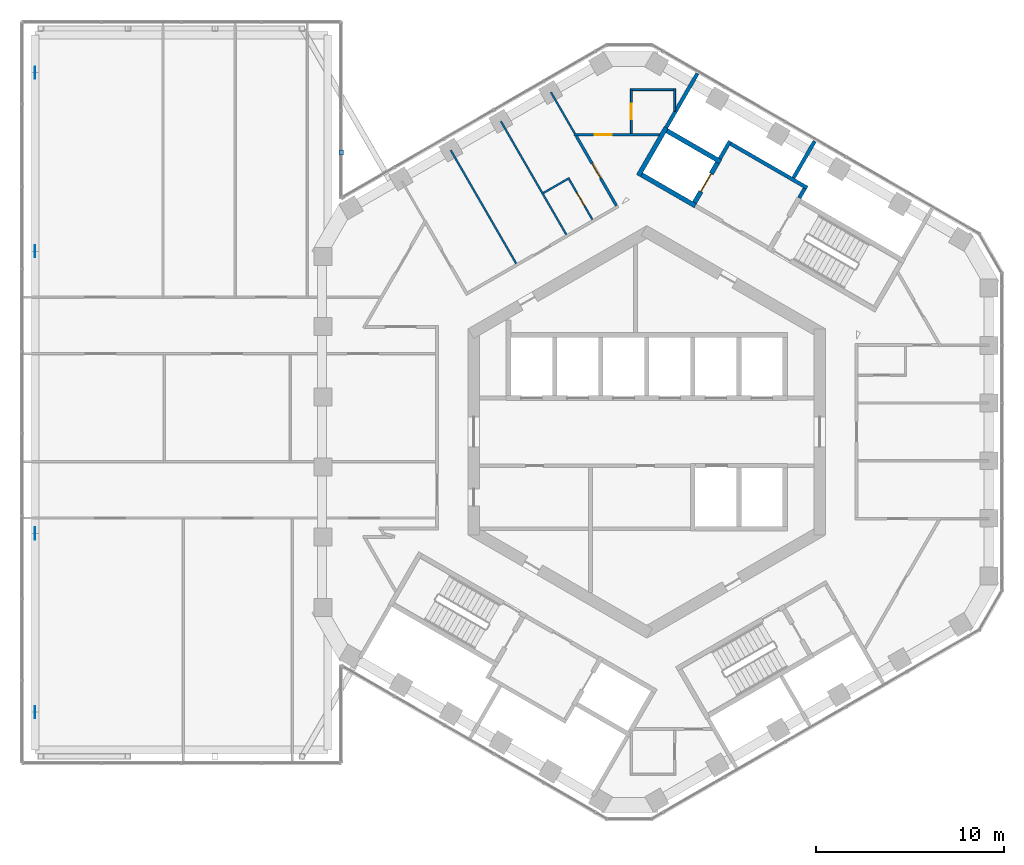
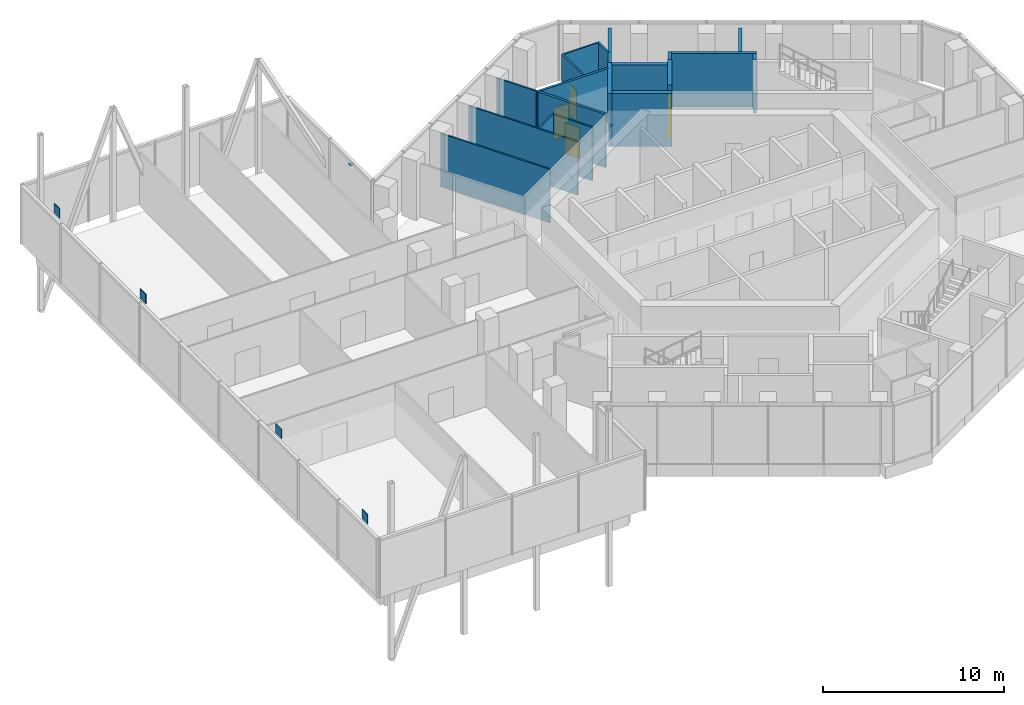
# One storey, part 18 of 21: 19 walls, 5 discrete accessories, 5 doors, 5 openings.
"""IFC4 building model written with IfcOpenShell, lengths in metres."""

from ifc_helpers import new_model, si_unit, direction, frame, frame_2d, origin, origin_2d, place, context, subcontext, project, spatial, rectangle, extrude, material, layer, layer_set, type_object, element, fill, save


model = new_model("IFC4")

# Units and contexts
model_context = context("Model", 3, precision=1e-05, world=origin(), true_north=direction((0.0, 1.0)))
body_context = subcontext(model_context, "Body", "Model", "MODEL_VIEW")
ifc_project = project(units=[si_unit("LENGTHUNIT", "METRE"), si_unit("AREAUNIT", "SQUARE_METRE"), si_unit("VOLUMEUNIT", "CUBIC_METRE"), si_unit("PLANEANGLEUNIT", "RADIAN"), si_unit("MASSUNIT", "GRAM", prefix="KILO")], contexts=[model_context])

# Site, building, storey
site_placement = place(None, origin())
site = spatial("IfcSite", under=ifc_project, at=site_placement, CompositionType="ELEMENT")
building_placement = place(site_placement, origin())
building = spatial("IfcBuilding", under=site, at=building_placement, Name="Ayvan Gate Tower", CompositionType="ELEMENT")
storey_placement = place(building_placement, frame((0.0, 0.0, 206.10009765625)))
storey = spatial("IfcBuildingStorey", under=building, at=storey_placement, Name="L55", CompositionType="ELEMENT", Elevation=206.10009765625)

# Wall, opening, door
ifc_material_1 = material(Name="Plasterboard on steel stud", Category="steel")
ifc_layer_1 = layer(ifc_material_1, 0.14990234375)
ifc_layer_set_1 = layer_set([ifc_layer_1], Name="Plasterboard on steel stud")
wall_type_1 = type_object("IfcWallType", Name="WT-CORR-150", PredefinedType="PARTITIONING", material=ifc_layer_set_1)
wall_1_placement = place(storey_placement, frame((-3.866943359375, 15.797607421875, 0.0), z_axis=(0.0, 0.0, 1.0), x_axis=(1.0, 0.0, 0.0)))
wall_1 = element("IfcWall", 1, at=wall_1_placement, inside=storey, type_object=wall_type_1, Name="IW-L55-043", PredefinedType="PARTITIONING", context=body_context, shape_type="SweptSolid", body=[
    extrude(rectangle(XDim=4.548828125, YDim=0.14990234375, at=frame_2d((2.2744140625, 0.0))), origin(), (0.0, 0.0, 1.0), 3.599853515625),
])
opening_1_placement = place(wall_1_placement, frame((1.111083984375, 0.0, 0.0)))
opening_1 = element("IfcOpeningElement", 2, at=opening_1_placement, cuts=wall_1, Name="Opening L55-D26", PredefinedType="OPENING", context=body_context, shape_type="SweptSolid", body=[
    extrude(rectangle(XDim=0.89990234375, YDim=2.10009765625, at=frame_2d((0.449951171875, 1.050048828125))), frame((0.0, 0.0849609375, 0.0), z_axis=(0.0, -1.0, 0.0), x_axis=(1.0, 0.0, 0.0)), (0.0, 0.0, 1.0), 0.169921875),
])
ifc_material_2 = material(Name="Timber door leaf", Category="wood")
door_type_1 = type_object("IfcDoorType", Name="DT-900", OperationType="NOTDEFINED", PredefinedType="DOOR", material=ifc_material_2)
door_1_placement = place(opening_1_placement, origin())
door_1 = element("IfcDoor", 3, at=door_1_placement, inside=storey, type_object=door_type_1, Name="ID-L55-026", OperationType="SINGLE_SWING_LEFT", OverallHeight=2.10009765625, OverallWidth=0.89990234375, PredefinedType="DOOR", context=body_context, shape_type="SweptSolid", body=[
    extrude(rectangle(XDim=0.89990234375, YDim=2.10009765625, at=frame_2d((0.449951171875, 1.050048828125))), frame((0.0, 0.02490234375, 0.0), z_axis=(0.0, -1.0, 0.0), x_axis=(1.0, 0.0, 0.0)), (0.0, 0.0, 1.0), 0.050048828125),
])
fill(opening_1, door_1)

wall_2_placement = place(storey_placement, frame((-1.61572265625, 12.028564453125, 0.0), z_axis=(0.0, 0.0, 1.0), x_axis=(-0.499994193788, 0.866028755976, 0.0)))
wall_2 = element("IfcWall", 4, at=wall_2_placement, inside=storey, type_object=wall_type_1, Name="IW-L55-050", PredefinedType="PARTITIONING", context=body_context, shape_type="SweptSolid", body=[
    extrude(rectangle(XDim=4.27734375, YDim=0.14990234375, at=frame_2d((2.138671875, 0.0))), origin(), (0.0, 0.0, 1.0), 3.599853515625),
])
opening_2_placement = place(wall_2_placement, frame((1.688720703125, 0.0, 0.0)))
opening_2 = element("IfcOpeningElement", 5, at=opening_2_placement, cuts=wall_2, Name="Opening L55-D31", PredefinedType="OPENING", context=body_context, shape_type="SweptSolid", body=[
    extrude(rectangle(XDim=0.89990234375, YDim=2.10009765625, at=frame_2d((0.449951171875, 1.050048828125))), frame((0.0, 0.0849609375, 0.0), z_axis=(0.0, -1.0, 0.0), x_axis=(1.0, 0.0, 0.0)), (0.0, 0.0, 1.0), 0.169921875),
])
door_2_placement = place(opening_2_placement, origin())
door_2 = element("IfcDoor", 6, at=door_2_placement, inside=storey, type_object=door_type_1, Name="ID-L55-031", OperationType="SINGLE_SWING_RIGHT", OverallHeight=2.10009765625, OverallWidth=0.89990234375, PredefinedType="DOOR", context=body_context, shape_type="SweptSolid", body=[
    extrude(rectangle(XDim=0.89990234375, YDim=2.10009765625, at=frame_2d((0.449951171875, 1.050048828125))), frame((0.0, 0.02490234375, 0.0), z_axis=(0.0, -1.0, 0.0), x_axis=(1.0, 0.0, 0.0)), (0.0, 0.0, 1.0), 0.050048828125),
])
fill(opening_2, door_2)

# Walls
ifc_layer_2 = layer(ifc_material_1, 0.10009765625)
ifc_layer_set_2 = layer_set([ifc_layer_2], Name="Plasterboard on steel stud")
wall_type_2 = type_object("IfcWallType", Name="WT-PART-100", PredefinedType="PARTITIONING", material=ifc_layer_set_2)
for number, where, z_axis, x_axis, name in (
    (7, (-6.944580078125, 8.951904296875, 0.0), (0.0, 0.0, 1.0), (-0.500023999398, 0.866011547282, 0.0), "IW-L55-035"),
    (8, (-7.760986328125, 16.519287109375, 0.0), (0.0, 0.0, 1.0), (0.499982511794, -0.866035500369, 0.0), "IW-L55-038"),
):
    element("IfcWall", number, at=place(storey_placement, frame(where, z_axis=z_axis, x_axis=x_axis)), inside=storey, type_object=wall_type_2, Name=name, PredefinedType="PARTITIONING", context=body_context, shape_type="SweptSolid", body=[
        extrude(rectangle(XDim=6.961669921875, YDim=0.10009765625, at=frame_2d((3.48095703125, 0.0))), origin(), (0.0, 0.0, 1.0), 3.599853515625),
    ])
wall_3_placement = place(storey_placement, frame((-4.11376953125, 13.501953125, 0.0), z_axis=(0.0, 0.0, 1.0), x_axis=(-0.866028054938, -0.499995408039, 0.0)))
element("IfcWall", 9, at=wall_3_placement, inside=storey, type_object=wall_type_2, Name="IW-L55-040", PredefinedType="PARTITIONING", context=body_context, shape_type="SweptSolid", body=[
    extrude(rectangle(XDim=1.60009765625, YDim=0.10009765625, at=frame_2d((0.800048828125, 0.0))), origin(), (0.0, 0.0, 1.0), 3.599853515625),
])
wall_4_placement = place(storey_placement, frame((-3.829345703125, 15.86279296875, 0.0), z_axis=(0.0, 0.0, 1.0), x_axis=(-0.500044870432, 0.865999496279, 0.0)))
element("IfcWall", 10, at=wall_4_placement, inside=storey, type_object=wall_type_2, Name="IW-L55-042", PredefinedType="PARTITIONING", context=body_context, shape_type="SweptSolid", body=[
    extrude(rectangle(XDim=2.534423828125, YDim=0.10009765625, at=frame_2d((1.26708984375, 0.0))), origin(), (0.0, 0.0, 1.0), 3.599853515625),
])

# Wall, opening, door
wall_5_placement = place(storey_placement, frame((-2.89453125, 11.290283203125, 0.0), z_axis=(0.0, 0.0, 1.0), x_axis=(-0.500032699561, 0.866006523861, 0.0)))
wall_5 = element("IfcWall", 11, at=wall_5_placement, inside=storey, type_object=wall_type_2, Name="IW-L55-046", PredefinedType="PARTITIONING", context=body_context, shape_type="SweptSolid", body=[
    extrude(rectangle(XDim=2.474853515625, YDim=0.10009765625, at=frame_2d((1.2373046875, 0.0))), origin(), (0.0, 0.0, 1.0), 3.599853515625),
])
opening_3_placement = place(wall_5_placement, frame((0.83740234375, 0.0, 0.0)))
opening_3 = element("IfcOpeningElement", 12, at=opening_3_placement, cuts=wall_5, Name="Opening L55-D32", PredefinedType="OPENING", context=body_context, shape_type="SweptSolid", body=[
    extrude(rectangle(XDim=0.800048828125, YDim=2.10009765625, at=frame_2d((0.39990234375, 1.050048828125))), frame((0.0, 0.06005859375, 0.0), z_axis=(0.0, -1.0, 0.0), x_axis=(1.0, 0.0, 0.0)), (0.0, 0.0, 1.0), 0.1201171875),
])
door_type_2 = type_object("IfcDoorType", Name="DT-800", OperationType="NOTDEFINED", PredefinedType="DOOR", material=ifc_material_2)
door_3_placement = place(opening_3_placement, origin())
door_3 = element("IfcDoor", 13, at=door_3_placement, inside=storey, type_object=door_type_2, Name="ID-L55-032", OperationType="SINGLE_SWING_LEFT", OverallHeight=2.10009765625, OverallWidth=0.800048828125, PredefinedType="DOOR", context=body_context, shape_type="SweptSolid", body=[
    extrude(rectangle(XDim=0.800048828125, YDim=2.10009765625, at=frame_2d((0.39990234375, 1.050048828125))), frame((0.0, 0.02490234375, 0.0), z_axis=(0.0, -1.0, 0.0), x_axis=(1.0, 0.0, 0.0)), (0.0, 0.0, 1.0), 0.050048828125),
])
fill(opening_3, door_3)

wall_6_placement = place(storey_placement, frame((-0.82421875, 18.247802734375, 0.0), z_axis=(0.0, 0.0, 1.0), x_axis=(0.0, -1.0, 0.0)))
wall_6 = element("IfcWall", 14, at=wall_6_placement, inside=storey, type_object=wall_type_2, Name="IW-L55-055", PredefinedType="PARTITIONING", context=body_context, shape_type="SweptSolid", body=[
    extrude(rectangle(XDim=2.375, YDim=0.10009765625, at=frame_2d((1.1875, 0.0))), origin(), (0.0, 0.0, 1.0), 3.599853515625),
])
opening_4_placement = place(wall_6_placement, frame((0.8125, 0.0, 0.0)))
opening_4 = element("IfcOpeningElement", 15, at=opening_4_placement, cuts=wall_6, Name="Opening L55-D27", PredefinedType="OPENING", context=body_context, shape_type="SweptSolid", body=[
    extrude(rectangle(XDim=0.800048828125, YDim=2.10009765625, at=frame_2d((0.39990234375, 1.050048828125))), frame((0.0, 0.06005859375, 0.0), z_axis=(0.0, -1.0, 0.0), x_axis=(1.0, 0.0, 0.0)), (0.0, 0.0, 1.0), 0.1201171875),
])
door_4_placement = place(opening_4_placement, origin())
door_4 = element("IfcDoor", 16, at=door_4_placement, inside=storey, type_object=door_type_2, Name="ID-L55-027", OperationType="SINGLE_SWING_RIGHT", OverallHeight=2.10009765625, OverallWidth=0.800048828125, PredefinedType="DOOR", context=body_context, shape_type="SweptSolid", body=[
    extrude(rectangle(XDim=0.800048828125, YDim=2.10009765625, at=frame_2d((0.39990234375, 1.050048828125))), frame((0.0, 0.02490234375, 0.0), z_axis=(0.0, -1.0, 0.0), x_axis=(1.0, 0.0, 0.0)), (0.0, 0.0, 1.0), 0.050048828125),
])
fill(opening_4, door_4)

# Walls
wall_7_placement = place(storey_placement, frame((1.4755859375, 17.055908203125, 0.0), z_axis=(0.0, 0.0, 1.0), x_axis=(0.0, 1.0, 0.0)))
element("IfcWall", 17, at=wall_7_placement, inside=storey, type_object=wall_type_2, Name="IW-L55-064", PredefinedType="PARTITIONING", context=body_context, shape_type="SweptSolid", body=[
    extrude(rectangle(XDim=1.19189453125, YDim=0.10009765625, at=frame_2d((0.595947265625, 0.0))), origin(), (0.0, 0.0, 1.0), 3.599853515625),
])
wall_8_placement = place(storey_placement, frame((1.42578125, 18.19775390625, 0.0), z_axis=(0.0, 0.0, 1.0), x_axis=(-1.0, 0.0, 0.0)))
element("IfcWall", 18, at=wall_8_placement, inside=storey, type_object=wall_type_2, Name="IW-L55-065", PredefinedType="PARTITIONING", context=body_context, shape_type="SweptSolid", body=[
    extrude(rectangle(XDim=2.2001953125, YDim=0.10009765625, at=frame_2d((1.10009765625, 0.0))), origin(), (0.0, 0.0, 1.0), 3.599853515625),
])
ifc_layer_3 = layer(ifc_material_1, 0.199951171875)
ifc_layer_set_3 = layer_set([ifc_layer_3], Name="Plasterboard on steel stud")
wall_type_3 = type_object("IfcWallType", Name="WT-PLUMB-200", PredefinedType="PLUMBINGWALL", material=ifc_layer_set_3)
wall_9_placement = place(storey_placement, frame((1.027099609375, 16.178955078125, 0.0), z_axis=(0.0, 0.0, 1.0), x_axis=(0.49997666526, 0.866038875684, 0.0)))
element("IfcWall", 19, at=wall_9_placement, inside=storey, type_object=wall_type_3, Name="IW-L55-061", PredefinedType="PLUMBINGWALL", context=body_context, shape_type="SweptSolid", body=[
    extrude(rectangle(XDim=3.325439453125, YDim=0.199951171875, at=frame_2d((1.66259765625, 0.0))), origin(), (0.0, 0.0, 1.0), 3.599853515625),
])
wall_10_placement = place(storey_placement, frame((3.885009765625, 14.52880859375, 0.0), z_axis=(0.0, 0.0, 1.0), x_axis=(0.499997628298, 0.866026773083, 0.0)))
element("IfcWall", 20, at=wall_10_placement, inside=storey, type_object=wall_type_3, Name="IW-L55-074", PredefinedType="PLUMBINGWALL", context=body_context, shape_type="SweptSolid", body=[
    extrude(rectangle(XDim=1.0751953125, YDim=0.199951171875, at=frame_2d((0.53759765625, 0.0))), origin(), (0.0, 0.0, 1.0), 3.599853515625),
])
wall_11_placement = place(storey_placement, frame((4.458984375, 15.323486328125, 0.0), z_axis=(0.0, 0.0, 1.0), x_axis=(0.866016039709, -0.500016218704, 0.0)))
element("IfcWall", 21, at=wall_11_placement, inside=storey, type_object=wall_type_3, Name="IW-L55-075", PredefinedType="PLUMBINGWALL", context=body_context, shape_type="SweptSolid", body=[
    extrude(rectangle(XDim=4.699951171875, YDim=0.199951171875, at=frame_2d((2.35009765625, 0.0))), origin(), (0.0, 0.0, 1.0), 3.599853515625),
])
wall_12_placement = place(storey_placement, frame((7.800048828125, 13.510009765625, 0.0), z_axis=(0.0, 0.0, 1.0), x_axis=(0.500001041529, 0.866024802457, 0.0)))
element("IfcWall", 22, at=wall_12_placement, inside=storey, type_object=wall_type_3, Name="IW-L55-089", PredefinedType="PLUMBINGWALL", context=body_context, shape_type="SweptSolid", body=[
    extrude(rectangle(XDim=2.25048828125, YDim=0.199951171875, at=frame_2d((1.125244140625, 0.0))), origin(), (0.0, 0.0, 1.0), 3.599853515625),
])
wall_13_placement = place(storey_placement, frame((8.392822265625, 12.936767578125, 0.0), z_axis=(0.0, 0.0, 1.0), x_axis=(-0.500065409566, -0.86598763626, 0.0)))
element("IfcWall", 23, at=wall_13_placement, inside=storey, type_object=wall_type_3, Name="IW-L55-091", PredefinedType="PLUMBINGWALL", context=body_context, shape_type="SweptSolid", body=[
    extrude(rectangle(XDim=0.5751953125, YDim=0.199951171875, at=frame_2d((0.28759765625, 0.0))), origin(), (0.0, 0.0, 1.0), 3.599853515625),
])
ifc_material_3 = material(Name="Concrete C50/60", Category="concrete")
ifc_layer_4 = layer(ifc_material_3, 0.25)
ifc_layer_set_4 = layer_set([ifc_layer_4], Name="Concrete C50/60")
wall_type_4 = type_object("IfcWallType", Name="WT-RC-250", PredefinedType="SHEAR", material=ifc_layer_set_4)
wall_14_placement = place(storey_placement, frame((-0.447998046875, 13.624267578125, 0.0), z_axis=(0.0, 0.0, 1.0), x_axis=(0.500037662692, 0.866003658127, 0.0)))
element("IfcWall", 24, at=wall_14_placement, inside=storey, type_object=wall_type_4, Name="IW-L55-058", PredefinedType="SHEAR", context=body_context, shape_type="SweptSolid", body=[
    extrude(rectangle(XDim=2.949951171875, YDim=0.25, at=frame_2d((1.47509765625, 0.0))), origin(), (0.0, 0.0, 1.0), 3.599853515625),
])
for number, where, z_axis, x_axis, name in (
    (25, (1.072998046875, 16.00830078125, 0.0), (0.0, 0.0, 1.0), (0.866040211805, -0.499974350878, 0.0), "IW-L55-062"),
    (26, (2.580810546875, 12.02001953125, 0.0), (0.0, 0.0, 1.0), (-0.866040211805, 0.499974350878, 0.0), "IW-L55-070"),
):
    element("IfcWall", number, at=place(storey_placement, frame(where, z_axis=z_axis, x_axis=x_axis)), inside=storey, type_object=wall_type_4, Name=name, PredefinedType="SHEAR", context=body_context, shape_type="SweptSolid", body=[
        extrude(rectangle(XDim=3.300048828125, YDim=0.25, at=frame_2d((1.64990234375, 0.0))), origin(), (0.0, 0.0, 1.0), 3.599853515625),
    ])

# Wall, opening, door
wall_15_placement = place(storey_placement, frame((2.534912109375, 12.19091796875, 0.0), z_axis=(0.0, 0.0, 1.0), x_axis=(0.500061746146, 0.865989751695, 0.0)))
wall_15 = element("IfcWall", 27, at=wall_15_placement, inside=storey, type_object=wall_type_4, Name="IW-L55-071", PredefinedType="SHEAR", context=body_context, shape_type="SweptSolid", body=[
    extrude(rectangle(XDim=2.449951171875, YDim=0.25, at=frame_2d((1.22509765625, 0.0))), origin(), (0.0, 0.0, 1.0), 4.0),
])
opening_5_placement = place(wall_15_placement, frame((0.675048828125, 0.0, 0.0)))
opening_5 = element("IfcOpeningElement", 28, at=opening_5_placement, cuts=wall_15, Name="Opening L55-LD-FF1", PredefinedType="OPENING", context=body_context, shape_type="SweptSolid", body=[
    extrude(rectangle(XDim=1.10009765625, YDim=2.10009765625, at=frame_2d((0.550048828125, 1.050048828125))), frame((0.0, 0.135009765625, 0.0), z_axis=(0.0, -1.0, 0.0), x_axis=(1.0, 0.0, 0.0)), (0.0, 0.0, 1.0), 0.27001953125),
])
ifc_material_4 = material(Name="Stainless steel landing door", Category="steel")
door_type_3 = type_object("IfcDoorType", Name="DT-LANDING-1100", OperationType="SLIDING_TO_LEFT", PredefinedType="DOOR", material=ifc_material_4)
door_5_placement = place(opening_5_placement, origin())
door_5 = element("IfcDoor", 29, at=door_5_placement, inside=storey, type_object=door_type_3, Name="ID-L55-013", OperationType="SLIDING_TO_LEFT", OverallHeight=2.10009765625, OverallWidth=1.10009765625, PredefinedType="DOOR", context=body_context, shape_type="SweptSolid", body=[
    extrude(rectangle(XDim=1.10009765625, YDim=2.10009765625, at=frame_2d((0.550048828125, 1.050048828125))), frame((0.0, 0.02490234375, 0.0), z_axis=(0.0, -1.0, 0.0), x_axis=(1.0, 0.0, 0.0)), (0.0, 0.0, 1.0), 0.050048828125),
])
fill(opening_5, door_5)

# Discrete accessories
ifc_material_5 = material(Name="Steel S460ML", Category="steel")
ifc_layer_5 = layer(ifc_material_5, 0.034912109375)
ifc_layer_set_5 = layer_set([ifc_layer_5], Name="Steel S460ML")
discrete_accessory_type_1 = type_object("IfcDiscreteAccessoryType", Name="Gusset plate 35 mm", PredefinedType="BRACKET", material=ifc_layer_set_5)
for number, where, z_axis, x_axis, name in (
    (30, (-32.5244140625, 9.60009765625, 3.27490234375), (0.0, 0.0, 1.0), (0.0, 1.0, 0.0), "Gusset plate EXO-B5-D1A"),
    (31, (-32.5244140625, 19.10009765625, 3.27490234375), (0.0, 0.0, 1.0), (0.0, 1.0, 0.0), "Gusset plate EXO-B5-D1B"),
    (32, (-32.5244140625, -5.39990234375, 3.27490234375), (0.0, 0.0, 1.0), (0.0, 1.0, 0.0), "Gusset plate EXO-B5-D2A"),
    (33, (-32.5244140625, -14.89990234375, 3.27490234375), (0.0, 0.0, 1.0), (0.0, 1.0, 0.0), "Gusset plate EXO-B5-D3A"),
):
    element("IfcDiscreteAccessory", number, at=place(storey_placement, frame(where, z_axis=z_axis, x_axis=x_axis)), inside=storey, type_object=discrete_accessory_type_1, Name=name, PredefinedType="BRACKET", context=body_context, shape_type="SweptSolid", body=[
        extrude(rectangle(XDim=0.650146484375, YDim=0.034912109375, at=origin_2d()), origin(), (0.0, 0.0, 1.0), 0.650146484375),
    ])
ifc_layer_6 = layer(ifc_material_5, 0.02001953125)
ifc_layer_set_6 = layer_set([ifc_layer_6], Name="Steel S460ML")
discrete_accessory_type_2 = type_object("IfcDiscreteAccessoryType", Name="Sky bar end cap plate", PredefinedType="BRACKET", material=ifc_layer_set_6)
discrete_accessory_placement = place(storey_placement, frame((-16.238525390625, 14.85595703125, 3.599853515625), z_axis=(0.0, 0.0, 1.0), x_axis=(1.0, 0.0, 0.0)))
element("IfcDiscreteAccessory", 34, at=discrete_accessory_placement, inside=storey, type_object=discrete_accessory_type_2, Name="End cap SBT5-1-U-4:EC", PredefinedType="BRACKET", context=body_context, shape_type="SweptSolid", body=[
    extrude(rectangle(XDim=0.25, YDim=0.25, at=origin_2d()), origin(), (0.0, 0.0, 1.0), 0.02001953125),
])

save(model, "model.ifc")
